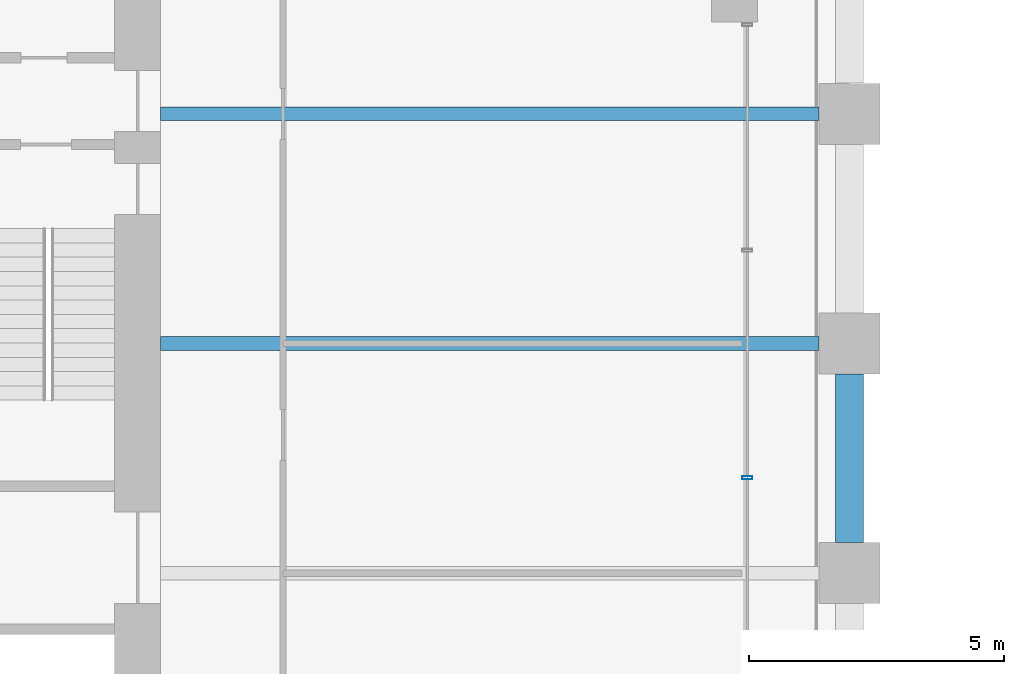
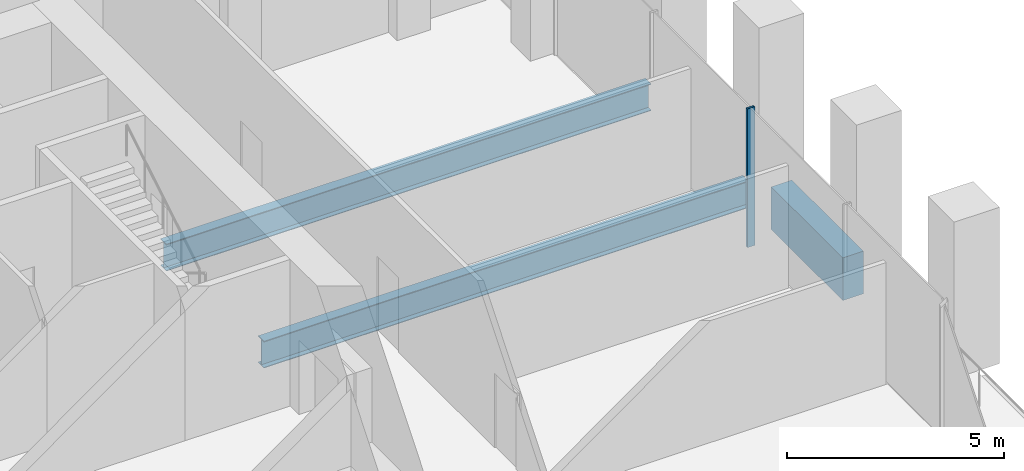
# One storey, part 11 of 36: 3 beams, 1 member, 1 element without a shape of its own.
"""IFC4 building model written with IfcOpenShell, lengths in metres."""

from ifc_helpers import new_model, si_unit, direction, frame, origin, origin_2d, place, context, subcontext, project, spatial, rectangle, hollow_rectangle, i_section, extrude, material, material_profile, profile_set, type_object, element, aggregate, save


model = new_model("IFC4")

# Units and contexts
model_context = context("Model", 3, precision=1e-05, world=origin(), true_north=direction((0.0, 1.0)))
body_context = subcontext(model_context, "Body", "Model", "MODEL_VIEW")
ifc_project = project(units=[si_unit("LENGTHUNIT", "METRE"), si_unit("AREAUNIT", "SQUARE_METRE"), si_unit("VOLUMEUNIT", "CUBIC_METRE"), si_unit("PLANEANGLEUNIT", "RADIAN"), si_unit("MASSUNIT", "GRAM", prefix="KILO")], contexts=[model_context])

# Site, building, storey
site_placement = place(None, origin())
site = spatial("IfcSite", under=ifc_project, at=site_placement, CompositionType="ELEMENT")
building_placement = place(site_placement, origin())
building = spatial("IfcBuilding", under=site, at=building_placement, Name="Altepetl Exchange Towers", CompositionType="ELEMENT")
storey_placement = place(building_placement, frame((0.0, 0.0, 34.199951171875)))
storey = spatial("IfcBuildingStorey", under=building, at=storey_placement, Name="L07", CompositionType="ELEMENT", Elevation=34.199951171875)

# Beams
ifc_material_1 = material(Name="Steel S355", Category="steel")
ifc_material_profile_1 = material_profile(ifc_material_1, i_section(OverallWidth=0.26611328125, OverallDepth=0.758056640625, WebThickness=0.013916015625, FlangeThickness=0.019287109375, at=origin_2d()), Name="W30X108")
ifc_profile_set_1 = profile_set([ifc_material_profile_1], Name="Steel S355")
beam_type_1 = type_object("IfcBeamType", Name="Floor beam W30X108", PredefinedType="BEAM", material=ifc_profile_set_1)
for number, where, z_axis, x_axis, name in (
    (1, (58.5, 49.5, -0.553955078125), (1.0, 0.0, 0.0), (0.0, 1.0, 0.0), "bm:A:L07:010"),
    (2, (58.5, 54.0, -0.553955078125), (1.0, 0.0, 0.0), (0.0, 1.0, 0.0), "bm:A:L07:011"),
):
    element("IfcBeam", number, at=place(storey_placement, frame(where, z_axis=z_axis, x_axis=x_axis)), inside=storey, type_object=beam_type_1, Name=name, PredefinedType="BEAM", context=body_context, shape_type="SweptSolid", body=[
        extrude(i_section(OverallWidth=0.26611328125, OverallDepth=0.758056640625, WebThickness=0.013916015625, FlangeThickness=0.019287109375, at=origin_2d()), origin(), (0.0, 0.0, 1.0), 12.89990234375),
    ])

# Curtain wall, member
ifc_material_2 = material(Name="Aluminium 6063-T6 glazing", Category="aluminium")
curtain_wall_type = type_object("IfcCurtainWallType", Name="Trading floor glazing system", PredefinedType="NOTDEFINED", material=ifc_material_2)
curtain_wall_placement = place(storey_placement, origin())
curtain_wall = element("IfcCurtainWall", 3, at=curtain_wall_placement, inside=storey, type_object=curtain_wall_type, Name="CW2 run", PredefinedType="NOTDEFINED")
ifc_material_3 = material(Name="Aluminium 6063-T6", Category="aluminium")
ifc_material_profile_2 = material_profile(ifc_material_3, hollow_rectangle(XDim=0.06005859375, YDim=0.199951171875, WallThickness=0.0029296875, at=origin_2d()), Name="Mullion 60x200 aluminium")
ifc_profile_set_2 = profile_set([ifc_material_profile_2], Name="Aluminium 6063-T6")
member_type = type_object("IfcMemberType", Name="Mullion 60x200 aluminium", PredefinedType="MULLION", material=ifc_profile_set_2)
member_placement = place(storey_placement, frame((70.0, 46.867919921875, 0.0), z_axis=(0.0, 0.0, 1.0), x_axis=(0.0, 1.0, 0.0)))
member = element("IfcMember", 4, at=member_placement, type_object=member_type, Name="MU2 mullion", PredefinedType="MULLION", context=body_context, shape_type="SweptSolid", body=[
    extrude(hollow_rectangle(XDim=0.06005859375, YDim=0.199951171875, WallThickness=0.0029296875, at=origin_2d()), origin(), (0.0, 0.0, 1.0), 3.900146484375),
])
aggregate(curtain_wall, [member])

# Beam
ifc_material_4 = material(Name="Concrete C50/60 precast with cantera amarilla facing", Category="concrete")
ifc_material_profile_3 = material_profile(ifc_material_4, rectangle(XDim=0.550048828125, YDim=1.199951171875, at=origin_2d()), Name="550 x 1200")
ifc_profile_set_3 = profile_set([ifc_material_profile_3], Name="Concrete C50/60 precast with cantera amarilla facing")
beam_type_2 = type_object("IfcBeamType", Name="Spandrel beam 550x1200 cantera amarilla", PredefinedType="SPANDREL", material=ifc_profile_set_3)
beam_placement = place(storey_placement, frame((72.0, 45.60009765625, -0.77490234375), z_axis=(0.0, 1.0, 0.0), x_axis=(-1.0, 0.0, 0.0)))
element("IfcBeam", 5, at=beam_placement, inside=storey, type_object=beam_type_2, Name="sp:A:L07:015", PredefinedType="SPANDREL", context=body_context, shape_type="SweptSolid", body=[
    extrude(rectangle(XDim=0.550048828125, YDim=1.199951171875, at=origin_2d()), origin(), (0.0, 0.0, 1.0), 3.2998046875),
])

save(model, "model.ifc")
